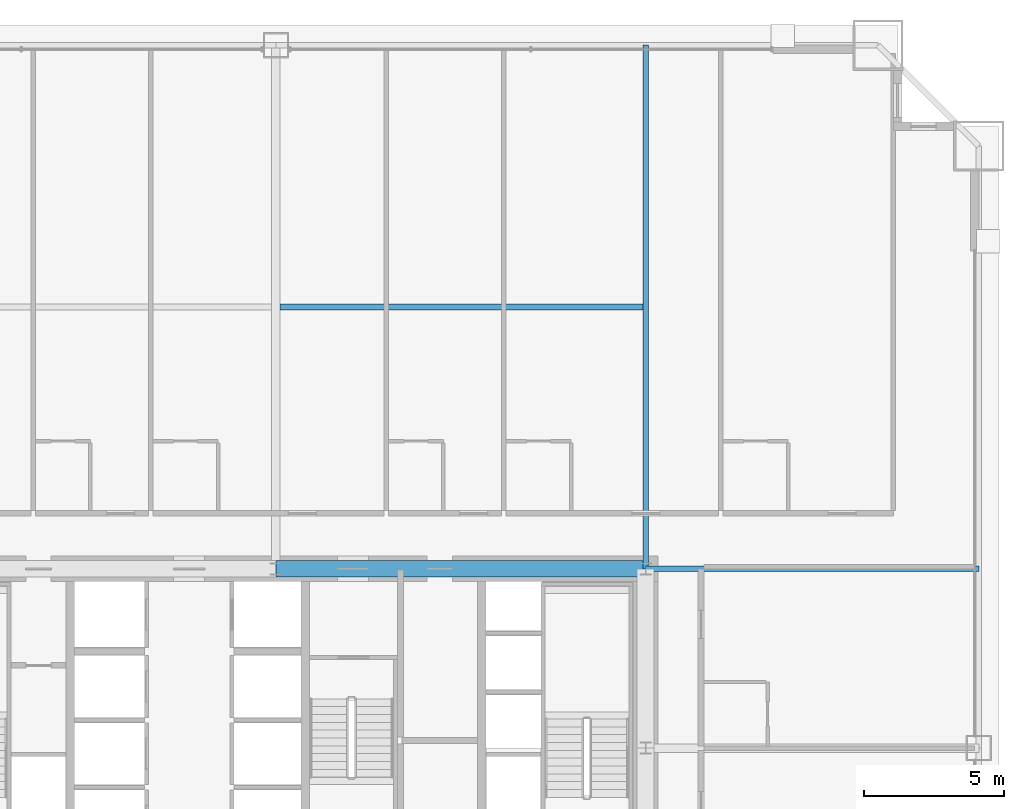
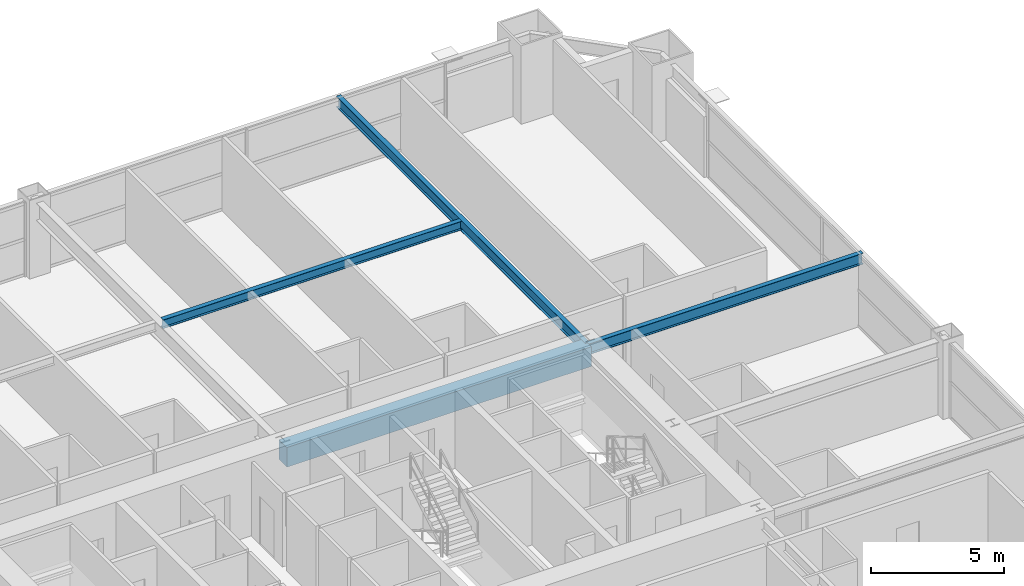
# One storey, part 32 of 45: 4 beams.
"""IFC4 building model written with IfcOpenShell, lengths in metres."""

from ifc_helpers import new_model, si_unit, direction, frame, origin, origin_2d, place, context, subcontext, project, spatial, rectangle, i_section, extrude, source, transform, mapped, material, material_profile, profile_set, type_object, element, save


model = new_model("IFC4")

# Units and contexts
model_context = context("Model", 3, precision=1e-05, world=origin(), true_north=direction((0.0, 1.0)))
body_context = subcontext(model_context, "Body", "Model", "MODEL_VIEW")
ifc_project = project(units=[si_unit("LENGTHUNIT", "METRE"), si_unit("AREAUNIT", "SQUARE_METRE"), si_unit("VOLUMEUNIT", "CUBIC_METRE"), si_unit("PLANEANGLEUNIT", "RADIAN"), si_unit("MASSUNIT", "GRAM", prefix="KILO"), si_unit("THERMODYNAMICTEMPERATUREUNIT", "KELVIN"), si_unit("POWERUNIT", "WATT")], contexts=[model_context])

# Site, building, storey
site_placement = place(None, origin())
site = spatial("IfcSite", under=ifc_project, at=site_placement, CompositionType="ELEMENT")
building_placement = place(site_placement, origin())
building = spatial("IfcBuilding", under=site, at=building_placement, Name="Yuzanri Waterfront Tower", CompositionType="ELEMENT")
storey_placement = place(building_placement, frame((0.0, 0.0, 49.60009765625)))
storey = spatial("IfcBuildingStorey", under=building, at=storey_placement, Name="L12", CompositionType="ELEMENT", Elevation=49.60009765625)

# Beams
ifc_material_1 = material(Name="Concrete C60", Category="concrete")
ifc_material_profile_1 = material_profile(ifc_material_1, rectangle(XDim=0.60009765625, YDim=0.89990234375, at=origin_2d()), Name="RC 600x900")
ifc_profile_set_1 = profile_set([ifc_material_profile_1], Name="Concrete C60")
beam_type_1 = type_object("IfcBeamType", Name="Core Coupling Lintel Concrete C60 600x900", PredefinedType="LINTEL", material=ifc_profile_set_1)
shared_shape_1 = source(origin(), body_context, "Body", "SweptSolid", [
    extrude(rectangle(XDim=0.60009765625, YDim=0.89990234375, at=origin_2d()), origin(), (0.0, 0.0, 1.0), 13.199951171875),
])
beam_1_placement = place(storey_placement, frame((37.0, 32.199951171875, 2.929931640625), z_axis=(1.0, 0.0, 0.0), x_axis=(0.0, 1.0, 0.0)))
element("IfcBeam", 1, at=beam_1_placement, inside=storey, type_object=beam_type_1, Name="L12 Core Tie Beam CN2", PredefinedType="LINTEL", context=body_context, shape_type="MappedRepresentation", body=[
    mapped(shared_shape_1, transform((0.0, 0.0, 0.0), scale=1.0)),
])
ifc_material_2 = material(Name="Steel Q355B", Category="steel")
ifc_material_profile_2 = material_profile(ifc_material_2, i_section(OverallWidth=0.199951171875, OverallDepth=0.5, WebThickness=0.010009765625, FlangeThickness=0.01611328125, at=origin_2d()), Name="HN 500x200x10x16")
ifc_profile_set_2 = profile_set([ifc_material_profile_2], Name="Steel Q355B")
beam_type_2 = type_object("IfcBeamType", Name="Secondary Floor Beam Q355B HN 500x200", PredefinedType="BEAM", material=ifc_profile_set_2)
shared_shape_2 = source(origin(), body_context, "Body", "SweptSolid", [
    extrude(i_section(OverallWidth=0.199951171875, OverallDepth=0.5, WebThickness=0.010009765625, FlangeThickness=0.01611328125, at=origin_2d()), origin(), (0.0, 0.0, 1.0), 18.699951171875),
])
beam_2_placement = place(storey_placement, frame((50.199951171875, 32.199951171875, 3.1298828125), z_axis=(0.0, 1.0, 0.0), x_axis=(-1.0, 0.0, 0.0)))
element("IfcBeam", 2, at=beam_2_placement, inside=storey, type_object=beam_type_2, Name="L12 North-East Core Line Beam", PredefinedType="BEAM", context=body_context, shape_type="MappedRepresentation", body=[
    mapped(shared_shape_2, transform((0.0, 0.0, 0.0), scale=1.0)),
])
shared_shape_3 = source(origin(), body_context, "Body", "SweptSolid", [
    extrude(i_section(OverallWidth=0.199951171875, OverallDepth=0.5, WebThickness=0.010009765625, FlangeThickness=0.01611328125, at=origin_2d()), origin(), (0.0, 0.0, 1.0), 11.900146484375),
])
beam_3_placement = place(storey_placement, frame((50.199951171875, 32.199951171875, 3.1298828125), z_axis=(1.0, 0.0, 0.0), x_axis=(0.0, 1.0, 0.0)))
element("IfcBeam", 3, at=beam_3_placement, inside=storey, type_object=beam_type_2, Name="L12 East-North Core Line Beam", PredefinedType="BEAM", context=body_context, shape_type="MappedRepresentation", body=[
    mapped(shared_shape_3, transform((0.0, 0.0, 0.0), scale=1.0)),
])
ifc_material_3 = material(Name="Steel Q355B", Category="steel")
ifc_material_profile_3 = material_profile(ifc_material_3, i_section(OverallWidth=0.199951171875, OverallDepth=0.39990234375, WebThickness=0.008056640625, FlangeThickness=0.012939453125, at=origin_2d()), Name="HN 400x200x8x13")
ifc_profile_set_3 = profile_set([ifc_material_profile_3], Name="Steel Q355B")
beam_type_3 = type_object("IfcBeamType", Name="Floor Joist Q355B HN 400x200", PredefinedType="JOIST", material=ifc_profile_set_3)
shared_shape_4 = source(origin(), body_context, "Body", "SweptSolid", [
    extrude(i_section(OverallWidth=0.199951171875, OverallDepth=0.39990234375, WebThickness=0.008056640625, FlangeThickness=0.012939453125, at=origin_2d()), origin(), (0.0, 0.0, 1.0), 12.9501953125),
])
beam_4_placement = place(storey_placement, frame((37.14990234375, 41.550048828125, 3.179931640625), z_axis=(1.0, 0.0, 0.0), x_axis=(0.0, 1.0, 0.0)))
element("IfcBeam", 4, at=beam_4_placement, inside=storey, type_object=beam_type_3, Name="L12 North Bay Joist E", PredefinedType="JOIST", context=body_context, shape_type="MappedRepresentation", body=[
    mapped(shared_shape_4, transform((0.0, 0.0, 0.0), scale=1.0)),
])

save(model, "model.ifc")
